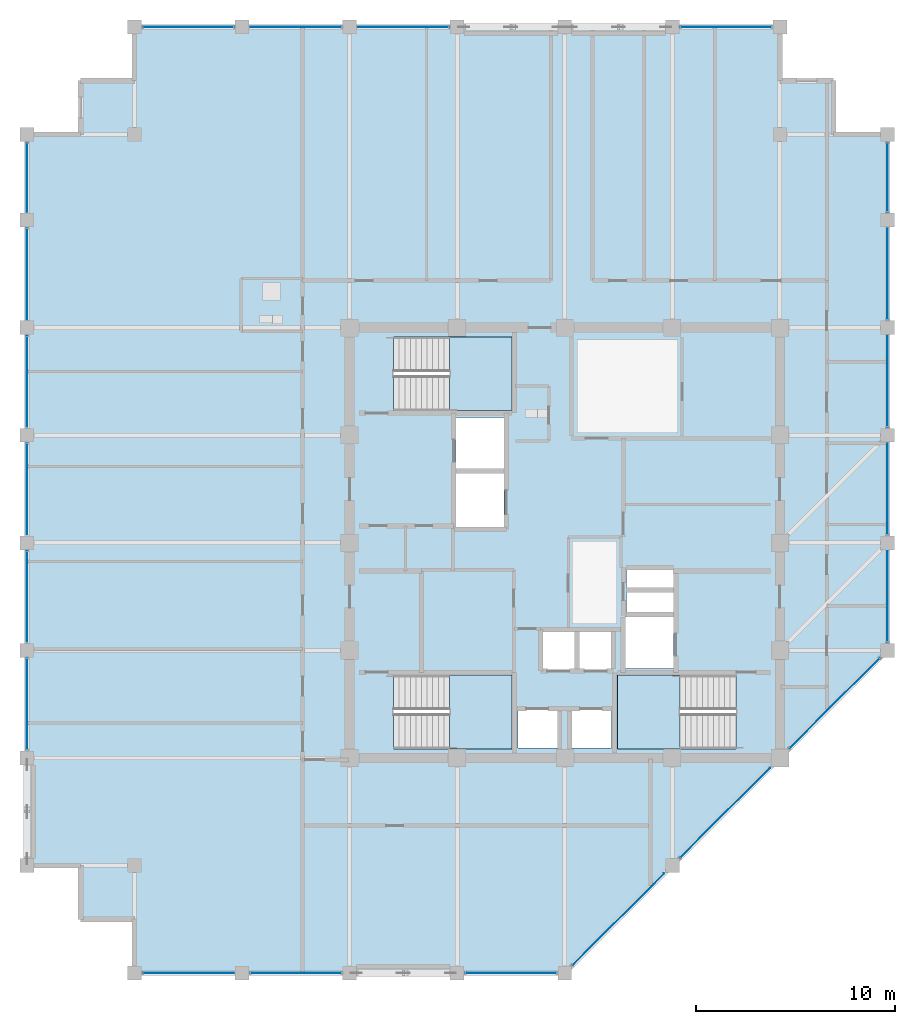
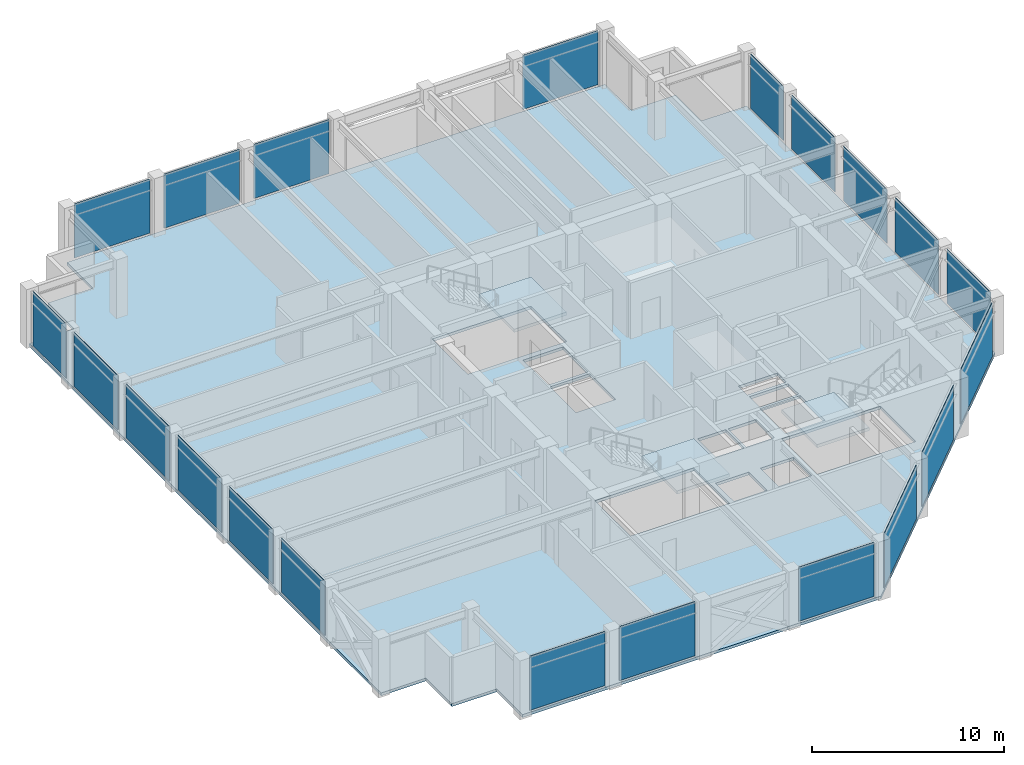
# One storey, part 23 of 31: 21 plates, 4 slabs, 10 elements without a shape of their own.
"""IFC4 building model written with IfcOpenShell, lengths in metres."""

from ifc_helpers import new_model, si_unit, direction, frame, frame_2d, origin, place, context, subcontext, project, spatial, polyline, rectangle, outline, extrude, material, layer, layer_set, type_object, element, aggregate, save


model = new_model("IFC4")

# Units and contexts
model_context = context("Model", 3, precision=1e-05, world=origin(), true_north=direction((0.0, 1.0)))
body_context = subcontext(model_context, "Body", "Model", "MODEL_VIEW")
ifc_project = project(units=[si_unit("LENGTHUNIT", "METRE"), si_unit("AREAUNIT", "SQUARE_METRE"), si_unit("VOLUMEUNIT", "CUBIC_METRE"), si_unit("PLANEANGLEUNIT", "RADIAN"), si_unit("MASSUNIT", "GRAM", prefix="KILO")], contexts=[model_context])

# Site, building, storey
site_placement = place(None, origin())
site = spatial("IfcSite", under=ifc_project, at=site_placement, CompositionType="ELEMENT")
building_placement = place(site_placement, origin())
building = spatial("IfcBuilding", under=site, at=building_placement, Name="Surkhivell Harbour Commons", CompositionType="ELEMENT")
storey_placement = place(building_placement, frame((0.0, 0.0, 330.0)))
storey = spatial("IfcBuildingStorey", under=building, at=storey_placement, Name="L86", CompositionType="ELEMENT", Elevation=330.0)

# Curtain wall, plates
ifc_material_1 = material(Name="Anodised pale-metal aluminium and insulated glazing", Category="aluminium")
ifc_layer_1 = layer(ifc_material_1, 0.175048828125)
ifc_layer_set_1 = layer_set([ifc_layer_1], Name="Anodised pale-metal aluminium and insulated glazing")
curtain_wall_type = type_object("IfcCurtainWallType", Name="CW-SYS-Z4", PredefinedType="NOTDEFINED", material=ifc_layer_set_1)
curtain_wall_1_placement = place(storey_placement, origin())
curtain_wall_1 = element("IfcCurtainWall", 1, at=curtain_wall_1_placement, inside=storey, type_object=curtain_wall_type, Name="L86 Curtain Wall CW-L86-E00S1", PredefinedType="NOTDEFINED")
ifc_material_2 = material(Name="Double-silver low-E laminated vision glass", Category="glass")
ifc_layer_2 = layer(ifc_material_2, 0.031982421875)
ifc_layer_set_2 = layer_set([ifc_layer_2], Name="Double-silver low-E laminated vision glass")
plate_type = type_object("IfcPlateType", Name="CWP-GLZ-32", PredefinedType="CURTAIN_PANEL", material=ifc_layer_set_2)
plate_1_placement = place(storey_placement, frame((-21.173095703125, -21.60009765625, 0.1298828125), z_axis=(0.0, 0.0, 1.0), x_axis=(1.0, 0.0, 0.0)))
plate_1 = element("IfcPlate", 2, at=plate_1_placement, type_object=plate_type, Name="CW-Z4 panel 1.1", PredefinedType="CURTAIN_PANEL", context=body_context, shape_type="SweptSolid", body=[
    extrude(rectangle(XDim=4.546142578125, YDim=0.031982421875, at=frame_2d((2.27294921875, 0.0))), origin(), (0.0, 0.0, 1.0), 3.440185546875),
])
plate_2_placement = place(storey_placement, frame((-15.77294921875, -21.60009765625, 0.1298828125), z_axis=(0.0, 0.0, 1.0), x_axis=(1.0, 0.0, 0.0)))
plate_2 = element("IfcPlate", 3, at=plate_2_placement, type_object=plate_type, Name="CW-Z4 panel 2.1", PredefinedType="CURTAIN_PANEL", context=body_context, shape_type="SweptSolid", body=[
    extrude(rectangle(XDim=4.5458984375, YDim=0.031982421875, at=frame_2d((2.27294921875, 0.0))), origin(), (0.0, 0.0, 1.0), 3.440185546875),
])
aggregate(curtain_wall_1, [plate_1, plate_2])

# Curtain wall, plate
curtain_wall_2_placement = place(storey_placement, origin())
curtain_wall_2 = element("IfcCurtainWall", 4, at=curtain_wall_2_placement, inside=storey, type_object=curtain_wall_type, Name="L86 Curtain Wall CW-L86-E00S2", PredefinedType="NOTDEFINED")
plate_3_placement = place(storey_placement, frame((-4.972900390625, -21.60009765625, 0.1298828125), z_axis=(0.0, 0.0, 1.0), x_axis=(1.0, 0.0, 0.0)))
plate_3 = element("IfcPlate", 5, at=plate_3_placement, type_object=plate_type, Name="CW-Z4 panel 1.1", PredefinedType="CURTAIN_PANEL", context=body_context, shape_type="SweptSolid", body=[
    extrude(rectangle(XDim=4.5458984375, YDim=0.031982421875, at=frame_2d((2.27294921875, 0.0))), origin(), (0.0, 0.0, 1.0), 3.440185546875),
])
aggregate(curtain_wall_2, [plate_3])

# Curtain wall, plates
curtain_wall_3_placement = place(storey_placement, origin())
curtain_wall_3 = element("IfcCurtainWall", 6, at=curtain_wall_3_placement, inside=storey, type_object=curtain_wall_type, Name="L86 Curtain Wall CW-L86-E01", PredefinedType="NOTDEFINED")
plate_4_placement = place(storey_placement, frame((0.404541015625, -21.1953125, 0.1298828125), z_axis=(0.0, 0.0, 1.0), x_axis=(0.707125583467, 0.707087978406, 0.0)))
plate_4 = element("IfcPlate", 7, at=plate_4_placement, type_object=plate_type, Name="CW-Z4 panel 1.1", PredefinedType="CURTAIN_PANEL", context=body_context, shape_type="SweptSolid", body=[
    extrude(rectangle(XDim=6.4921875, YDim=0.031982421875, at=frame_2d((3.24609375, 0.0))), origin(), (0.0, 0.0, 1.0), 3.440185546875),
])
plate_5_placement = place(storey_placement, frame((5.8046875, -15.79541015625, 0.1298828125), z_axis=(0.0, 0.0, 1.0), x_axis=(0.707106781187, 0.707106781187, 0.0)))
plate_5 = element("IfcPlate", 8, at=plate_5_placement, type_object=plate_type, Name="CW-Z4 panel 2.1", PredefinedType="CURTAIN_PANEL", context=body_context, shape_type="SweptSolid", body=[
    extrude(rectangle(XDim=6.350830078125, YDim=0.031982421875, at=frame_2d((3.17529296875, 0.0))), origin(), (0.0, 0.0, 1.0), 3.440185546875),
])
plate_6_placement = place(storey_placement, frame((11.3046875, -10.29541015625, 0.1298828125), z_axis=(0.0, 0.0, 1.0), x_axis=(0.707106781187, 0.707106781187, 0.0)))
plate_6 = element("IfcPlate", 9, at=plate_6_placement, type_object=plate_type, Name="CW-Z4 panel 3.1", PredefinedType="CURTAIN_PANEL", context=body_context, shape_type="SweptSolid", body=[
    extrude(rectangle(XDim=6.350830078125, YDim=0.031982421875, at=frame_2d((3.17529296875, 0.0))), origin(), (0.0, 0.0, 1.0), 3.440185546875),
])
aggregate(curtain_wall_3, [plate_4, plate_5, plate_6])

curtain_wall_4_placement = place(storey_placement, origin())
curtain_wall_4 = element("IfcCurtainWall", 10, at=curtain_wall_4_placement, inside=storey, type_object=curtain_wall_type, Name="L86 Curtain Wall CW-L86-E02", PredefinedType="NOTDEFINED")
plate_7_placement = place(storey_placement, frame((16.199951171875, -4.972900390625, 0.1298828125), z_axis=(0.0, 0.0, 1.0), x_axis=(0.0, 1.0, 0.0)))
plate_7 = element("IfcPlate", 11, at=plate_7_placement, type_object=plate_type, Name="CW-Z4 panel 1.1", PredefinedType="CURTAIN_PANEL", context=body_context, shape_type="SweptSolid", body=[
    extrude(rectangle(XDim=4.5458984375, YDim=0.031982421875, at=frame_2d((2.27294921875, 0.0))), origin(), (0.0, 0.0, 1.0), 3.440185546875),
])
plate_8_placement = place(storey_placement, frame((16.199951171875, 0.427001953125, 0.1298828125), z_axis=(0.0, 0.0, 1.0), x_axis=(0.0, 1.0, 0.0)))
plate_8 = element("IfcPlate", 12, at=plate_8_placement, type_object=plate_type, Name="CW-Z4 panel 2.1", PredefinedType="CURTAIN_PANEL", context=body_context, shape_type="SweptSolid", body=[
    extrude(rectangle(XDim=4.5458984375, YDim=0.031982421875, at=frame_2d((2.27294921875, 0.0))), origin(), (0.0, 0.0, 1.0), 3.440185546875),
])
plate_9_placement = place(storey_placement, frame((16.199951171875, 5.826904296875, 0.1298828125), z_axis=(0.0, 0.0, 1.0), x_axis=(0.0, 1.0, 0.0)))
plate_9 = element("IfcPlate", 13, at=plate_9_placement, type_object=plate_type, Name="CW-Z4 panel 3.1", PredefinedType="CURTAIN_PANEL", context=body_context, shape_type="SweptSolid", body=[
    extrude(rectangle(XDim=4.546142578125, YDim=0.031982421875, at=frame_2d((2.27294921875, 0.0))), origin(), (0.0, 0.0, 1.0), 3.440185546875),
])
plate_10_placement = place(storey_placement, frame((16.199951171875, 11.22705078125, 0.1298828125), z_axis=(0.0, 0.0, 1.0), x_axis=(0.0, 1.0, 0.0)))
plate_10 = element("IfcPlate", 14, at=plate_10_placement, type_object=plate_type, Name="CW-Z4 panel 4.1", PredefinedType="CURTAIN_PANEL", context=body_context, shape_type="SweptSolid", body=[
    extrude(rectangle(XDim=4.5458984375, YDim=0.031982421875, at=frame_2d((2.27294921875, 0.0))), origin(), (0.0, 0.0, 1.0), 3.440185546875),
])
plate_11_placement = place(storey_placement, frame((16.199951171875, 16.626953125, 0.1298828125), z_axis=(0.0, 0.0, 1.0), x_axis=(0.0, 1.0, 0.0)))
plate_11 = element("IfcPlate", 15, at=plate_11_placement, type_object=plate_type, Name="CW-Z4 panel 5.1", PredefinedType="CURTAIN_PANEL", context=body_context, shape_type="SweptSolid", body=[
    extrude(rectangle(XDim=3.446044921875, YDim=0.031982421875, at=frame_2d((1.72314453125, 0.0))), origin(), (0.0, 0.0, 1.0), 3.440185546875),
])
aggregate(curtain_wall_4, [plate_7, plate_8, plate_9, plate_10, plate_11])

# Curtain wall, plate
curtain_wall_5_placement = place(storey_placement, origin())
curtain_wall_5 = element("IfcCurtainWall", 16, at=curtain_wall_5_placement, inside=storey, type_object=curtain_wall_type, Name="L86 Curtain Wall CW-L86-E07S1", PredefinedType="NOTDEFINED")
plate_12_placement = place(storey_placement, frame((10.373046875, 25.89990234375, 0.1298828125), z_axis=(0.0, 0.0, 1.0), x_axis=(-1.0, 0.0, 0.0)))
plate_12 = element("IfcPlate", 17, at=plate_12_placement, type_object=plate_type, Name="CW-Z4 panel 1.1", PredefinedType="CURTAIN_PANEL", context=body_context, shape_type="SweptSolid", body=[
    extrude(rectangle(XDim=4.546142578125, YDim=0.031982421875, at=frame_2d((2.27294921875, 0.0))), origin(), (0.0, 0.0, 1.0), 3.440185546875),
])
aggregate(curtain_wall_5, [plate_12])

# Curtain wall, plates
curtain_wall_6_placement = place(storey_placement, origin())
curtain_wall_6 = element("IfcCurtainWall", 18, at=curtain_wall_6_placement, inside=storey, type_object=curtain_wall_type, Name="L86 Curtain Wall CW-L86-E07S2", PredefinedType="NOTDEFINED")
plate_13_placement = place(storey_placement, frame((-5.826904296875, 25.89990234375, 0.1298828125), z_axis=(0.0, 0.0, 1.0), x_axis=(-1.0, 0.0, 0.0)))
plate_13 = element("IfcPlate", 19, at=plate_13_placement, type_object=plate_type, Name="CW-Z4 panel 1.1", PredefinedType="CURTAIN_PANEL", context=body_context, shape_type="SweptSolid", body=[
    extrude(rectangle(XDim=4.546142578125, YDim=0.031982421875, at=frame_2d((2.27294921875, 0.0))), origin(), (0.0, 0.0, 1.0), 3.440185546875),
])
plate_14_placement = place(storey_placement, frame((-11.22705078125, 25.89990234375, 0.1298828125), z_axis=(0.0, 0.0, 1.0), x_axis=(-1.0, 0.0, 0.0)))
plate_14 = element("IfcPlate", 20, at=plate_14_placement, type_object=plate_type, Name="CW-Z4 panel 2.1", PredefinedType="CURTAIN_PANEL", context=body_context, shape_type="SweptSolid", body=[
    extrude(rectangle(XDim=4.5458984375, YDim=0.031982421875, at=frame_2d((2.27294921875, 0.0))), origin(), (0.0, 0.0, 1.0), 3.440185546875),
])
plate_15_placement = place(storey_placement, frame((-16.626953125, 25.89990234375, 0.1298828125), z_axis=(0.0, 0.0, 1.0), x_axis=(-1.0, 0.0, 0.0)))
plate_15 = element("IfcPlate", 21, at=plate_15_placement, type_object=plate_type, Name="CW-Z4 panel 3.1", PredefinedType="CURTAIN_PANEL", context=body_context, shape_type="SweptSolid", body=[
    extrude(rectangle(XDim=4.546142578125, YDim=0.031982421875, at=frame_2d((2.27294921875, 0.0))), origin(), (0.0, 0.0, 1.0), 3.440185546875),
])
aggregate(curtain_wall_6, [plate_13, plate_14, plate_15])

curtain_wall_7_placement = place(storey_placement, origin())
curtain_wall_7 = element("IfcCurtainWall", 22, at=curtain_wall_7_placement, inside=storey, type_object=curtain_wall_type, Name="L86 Curtain Wall CW-L86-E12S1", PredefinedType="NOTDEFINED")
plate_16_placement = place(storey_placement, frame((-27.0, 20.072998046875, 0.1298828125), z_axis=(0.0, 0.0, 1.0), x_axis=(0.0, -1.0, 0.0)))
plate_16 = element("IfcPlate", 23, at=plate_16_placement, type_object=plate_type, Name="CW-Z4 panel 1.1", PredefinedType="CURTAIN_PANEL", context=body_context, shape_type="SweptSolid", body=[
    extrude(rectangle(XDim=3.446044921875, YDim=0.031982421875, at=frame_2d((1.72314453125, 0.0))), origin(), (0.0, 0.0, 1.0), 3.440185546875),
])
plate_17_placement = place(storey_placement, frame((-27.0, 15.77294921875, 0.1298828125), z_axis=(0.0, 0.0, 1.0), x_axis=(0.0, -1.0, 0.0)))
plate_17 = element("IfcPlate", 24, at=plate_17_placement, type_object=plate_type, Name="CW-Z4 panel 2.1", PredefinedType="CURTAIN_PANEL", context=body_context, shape_type="SweptSolid", body=[
    extrude(rectangle(XDim=4.5458984375, YDim=0.031982421875, at=frame_2d((2.27294921875, 0.0))), origin(), (0.0, 0.0, 1.0), 3.440185546875),
])
plate_18_placement = place(storey_placement, frame((-27.0, 10.373046875, 0.1298828125), z_axis=(0.0, 0.0, 1.0), x_axis=(0.0, -1.0, 0.0)))
plate_18 = element("IfcPlate", 25, at=plate_18_placement, type_object=plate_type, Name="CW-Z4 panel 3.1", PredefinedType="CURTAIN_PANEL", context=body_context, shape_type="SweptSolid", body=[
    extrude(rectangle(XDim=4.546142578125, YDim=0.031982421875, at=frame_2d((2.27294921875, 0.0))), origin(), (0.0, 0.0, 1.0), 3.440185546875),
])
plate_19_placement = place(storey_placement, frame((-27.0, 4.972900390625, 0.1298828125), z_axis=(0.0, 0.0, 1.0), x_axis=(0.0, -1.0, 0.0)))
plate_19 = element("IfcPlate", 26, at=plate_19_placement, type_object=plate_type, Name="CW-Z4 panel 4.1", PredefinedType="CURTAIN_PANEL", context=body_context, shape_type="SweptSolid", body=[
    extrude(rectangle(XDim=4.5458984375, YDim=0.031982421875, at=frame_2d((2.27294921875, 0.0))), origin(), (0.0, 0.0, 1.0), 3.440185546875),
])
plate_20_placement = place(storey_placement, frame((-27.0, -0.427001953125, 0.1298828125), z_axis=(0.0, 0.0, 1.0), x_axis=(0.0, -1.0, 0.0)))
plate_20 = element("IfcPlate", 27, at=plate_20_placement, type_object=plate_type, Name="CW-Z4 panel 5.1", PredefinedType="CURTAIN_PANEL", context=body_context, shape_type="SweptSolid", body=[
    extrude(rectangle(XDim=4.5458984375, YDim=0.031982421875, at=frame_2d((2.27294921875, 0.0))), origin(), (0.0, 0.0, 1.0), 3.440185546875),
])
plate_21_placement = place(storey_placement, frame((-27.0, -5.826904296875, 0.1298828125), z_axis=(0.0, 0.0, 1.0), x_axis=(0.0, -1.0, 0.0)))
plate_21 = element("IfcPlate", 28, at=plate_21_placement, type_object=plate_type, Name="CW-Z4 panel 6.1", PredefinedType="CURTAIN_PANEL", context=body_context, shape_type="SweptSolid", body=[
    extrude(rectangle(XDim=4.546142578125, YDim=0.031982421875, at=frame_2d((2.27294921875, 0.0))), origin(), (0.0, 0.0, 1.0), 3.440185546875),
])
aggregate(curtain_wall_7, [plate_16, plate_17, plate_18, plate_19, plate_20, plate_21])

# Stair, slab
ifc_material_3 = material(Name="Precast concrete C45/55", Category="concrete")
stair_type = type_object("IfcStairType", Name="STR-DL-375", PredefinedType="HALF_TURN_STAIR", material=ifc_material_3)
stair_1_placement = place(storey_placement, origin())
stair_1 = element("IfcStair", 29, at=stair_1_placement, inside=storey, type_object=stair_type, Name="L86 Core Exit Stair ST1", PredefinedType="HALF_TURN_STAIR")
ifc_material_4 = material(Name="Reinforced concrete C45/55", Category="concrete")
ifc_layer_3 = layer(ifc_material_4, 0.199951171875)
ifc_layer_set_3 = layer_set([ifc_layer_3], Name="Reinforced concrete C45/55")
slab_type_1 = type_object("IfcSlabType", Name="SLB-ST-LND200", PredefinedType="LANDING", material=ifc_layer_set_3)
slab_1_placement = place(storey_placement, frame((0.0, 0.0, 1.675048828125)))
slab_1 = element("IfcSlab", 30, at=slab_1_placement, type_object=slab_type_1, Name="ST1 landing 1", PredefinedType="LANDING", context=body_context, shape_type="SweptSolid", body=[
    extrude(outline(polyline([(-5.7900390625, 6.639892578125), (-2.639892578125, 6.639892578125), (-2.639892578125, 10.340087890625), (-5.7900390625, 10.340087890625), (-5.7900390625, 6.639892578125)])), origin(), (0.0, 0.0, 1.0), 0.199951171875),
])
aggregate(stair_1, [slab_1])

stair_2_placement = place(storey_placement, origin())
stair_2 = element("IfcStair", 31, at=stair_2_placement, inside=storey, type_object=stair_type, Name="L86 Core Exit Stair ST2", PredefinedType="HALF_TURN_STAIR")
slab_2_placement = place(storey_placement, frame((0.0, 0.0, 1.675048828125)))
slab_2 = element("IfcSlab", 32, at=slab_2_placement, type_object=slab_type_1, Name="ST2 landing 1", PredefinedType="LANDING", context=body_context, shape_type="SweptSolid", body=[
    extrude(outline(polyline([(5.7900390625, -6.639892578125), (2.639892578125, -6.639892578125), (2.639892578125, -10.340087890625), (5.7900390625, -10.340087890625), (5.7900390625, -6.639892578125)])), origin(), (0.0, 0.0, 1.0), 0.199951171875),
])
aggregate(stair_2, [slab_2])

stair_3_placement = place(storey_placement, origin())
stair_3 = element("IfcStair", 33, at=stair_3_placement, inside=storey, type_object=stair_type, Name="L86 Core Exit Stair ST3", PredefinedType="HALF_TURN_STAIR")
slab_3_placement = place(storey_placement, frame((0.0, 0.0, 1.675048828125)))
slab_3 = element("IfcSlab", 34, at=slab_3_placement, type_object=slab_type_1, Name="ST3 landing 1", PredefinedType="LANDING", context=body_context, shape_type="SweptSolid", body=[
    extrude(outline(polyline([(-5.7900390625, -10.340087890625), (-2.639892578125, -10.340087890625), (-2.639892578125, -6.639892578125), (-5.7900390625, -6.639892578125), (-5.7900390625, -10.340087890625)])), origin(), (0.0, 0.0, 1.0), 0.199951171875),
])
aggregate(stair_3, [slab_3])

# Slab
ifc_material_5 = material(Name="Concrete C45/55", Category="concrete")
ifc_layer_4 = layer(ifc_material_5, 0.179931640625)
ifc_layer_set_4 = layer_set([ifc_layer_4], Name="Concrete C45/55")
slab_type_2 = type_object("IfcSlabType", Name="SLB-TYP-180", PredefinedType="FLOOR", material=ifc_layer_set_4)
slab_4_placement = place(storey_placement, frame((0.0, 0.0, -0.179931640625)))
element("IfcSlab", 35, at=slab_4_placement, inside=storey, type_object=slab_type_2, Name="L86 Structural Floor Slab", PredefinedType="FLOOR", context=body_context, shape_type="SweptSolid", body=[
    extrude(outline(polyline([(-21.60009765625, -21.60009765625), (0.0, -21.60009765625), (16.199951171875, -5.39990234375), (16.199951171875, 20.5), (13.5, 20.5), (13.5, 23.199951171875), (10.800048828125, 23.199951171875), (10.800048828125, 25.89990234375), (-21.60009765625, 25.89990234375), (-21.60009765625, 23.199951171875), (-24.300048828125, 23.199951171875), (-24.300048828125, 20.5), (-27.0, 20.5), (-27.0, -16.199951171875), (-24.300048828125, -16.199951171875), (-24.300048828125, -18.89990234375), (-21.60009765625, -18.89990234375), (-21.60009765625, -21.60009765625)]), holes=[polyline([(-8.590087890625, 6.639892578125), (-2.639892578125, 6.639892578125), (-2.639892578125, 10.340087890625), (-8.590087890625, 10.340087890625), (-8.590087890625, 6.639892578125)]), polyline([(8.590087890625, -6.639892578125), (2.639892578125, -6.639892578125), (2.639892578125, -10.340087890625), (8.590087890625, -10.340087890625), (8.590087890625, -6.639892578125)]), polyline([(-8.590087890625, -10.340087890625), (-2.639892578125, -10.340087890625), (-2.639892578125, -6.639892578125), (-8.590087890625, -6.639892578125), (-8.590087890625, -10.340087890625)]), polyline([(-1.14990234375, -6.35009765625), (0.550048828125, -6.35009765625), (0.550048828125, -4.449951171875), (-1.14990234375, -4.449951171875), (-1.14990234375, -6.35009765625)]), polyline([(0.679931640625, -6.35009765625), (2.3798828125, -6.35009765625), (2.3798828125, -4.449951171875), (0.679931640625, -4.449951171875), (0.679931640625, -6.35009765625)]), polyline([(-2.35009765625, -10.300048828125), (-0.35009765625, -10.300048828125), (-0.35009765625, -8.39990234375), (-2.35009765625, -8.39990234375), (-2.35009765625, -10.300048828125)]), polyline([(0.35009765625, -10.300048828125), (2.35009765625, -10.300048828125), (2.35009765625, -8.39990234375), (0.35009765625, -8.39990234375), (0.35009765625, -10.300048828125)]), polyline([(-5.449951171875, 3.699951171875), (-3.050048828125, 3.699951171875), (-3.050048828125, 6.300048828125), (-5.449951171875, 6.300048828125), (-5.449951171875, 3.699951171875)]), polyline([(3.050048828125, -6.300048828125), (5.449951171875, -6.300048828125), (5.449951171875, -3.699951171875), (3.050048828125, -3.699951171875), (3.050048828125, -6.300048828125)]), polyline([(-5.449951171875, 0.800048828125), (-3.050048828125, 0.800048828125), (-3.050048828125, 3.5), (-5.449951171875, 3.5), (-5.449951171875, 0.800048828125)]), polyline([(3.10009765625, -3.550048828125), (5.449951171875, -3.550048828125), (5.449951171875, -2.47998046875), (3.10009765625, -2.47998046875), (3.10009765625, -3.550048828125)]), polyline([(3.10009765625, -2.280029296875), (5.449951171875, -2.280029296875), (5.449951171875, -1.35009765625), (3.10009765625, -1.35009765625), (3.10009765625, -2.280029296875)])]), origin(), (0.0, 0.0, 1.0), 0.179931640625),
])

save(model, "model.ifc")
